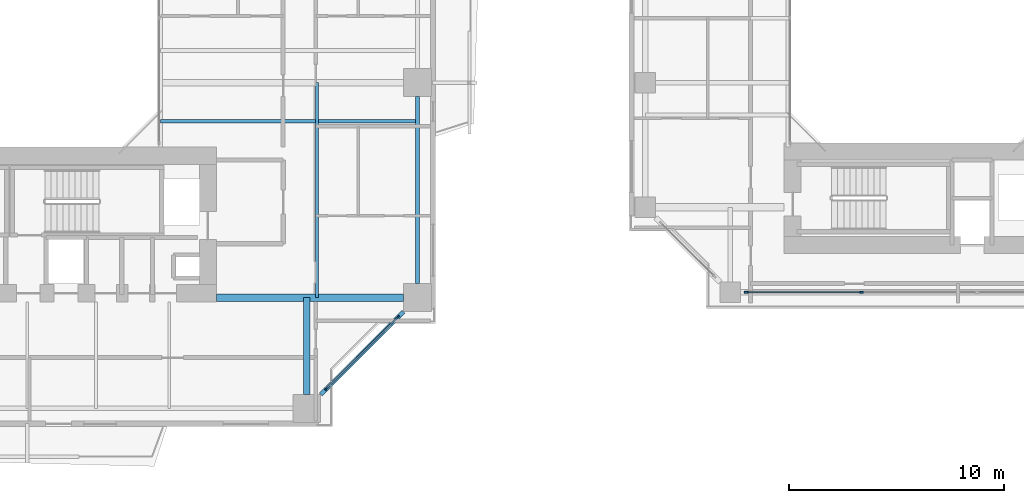
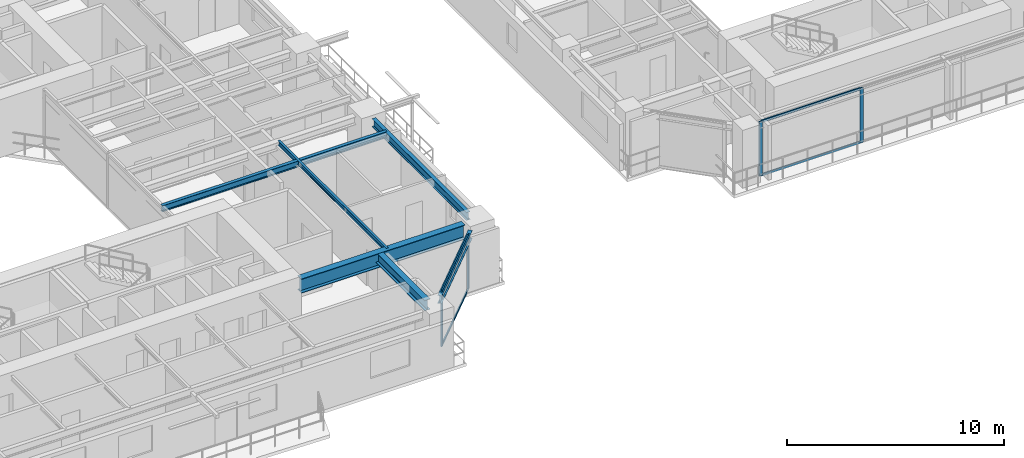
# One storey, part 5 of 24: 8 members, 6 beams, 2 elements without a shape of their own.
"""IFC4 building model written with IfcOpenShell, lengths in metres."""

from ifc_helpers import new_model, si_unit, direction, frame, origin, origin_2d, place, context, subcontext, project, spatial, rectangle, i_section, extrude, source, transform, mapped, material, layer, layer_set, material_profile, profile_set, type_object, element, aggregate, save


model = new_model("IFC4")

# Units and contexts
model_context = context("Model", 3, precision=1e-05, world=origin(), true_north=direction((0.0, 1.0)))
body_context = subcontext(model_context, "Body", "Model", "MODEL_VIEW")
ifc_project = project(units=[si_unit("LENGTHUNIT", "METRE"), si_unit("AREAUNIT", "SQUARE_METRE"), si_unit("VOLUMEUNIT", "CUBIC_METRE"), si_unit("PLANEANGLEUNIT", "RADIAN"), si_unit("MASSUNIT", "GRAM", prefix="KILO"), si_unit("THERMODYNAMICTEMPERATUREUNIT", "KELVIN"), si_unit("POWERUNIT", "WATT")], contexts=[model_context])

# Site, building, storey
site_placement = place(None, origin())
site = spatial("IfcSite", under=ifc_project, at=site_placement, CompositionType="ELEMENT")
building_placement = place(site_placement, origin())
building = spatial("IfcBuilding", under=site, at=building_placement, Name="Qiaomeng Ring Towers", CompositionType="ELEMENT")
storey_placement = place(building_placement, frame((0.0, 0.0, 36.0)))
storey = spatial("IfcBuildingStorey", under=building, at=storey_placement, Name="L09", CompositionType="ELEMENT", Elevation=36.0)

# Beams
ifc_material_1 = material(Name="Steel Q355B", Category="steel")
ifc_material_profile_1 = material_profile(ifc_material_1, i_section(OverallWidth=0.199951171875, OverallDepth=0.449951171875, WebThickness=0.009033203125, FlangeThickness=0.013916015625, FilletRadius=0.01806640625, at=origin_2d()), Name="HN 450x200x9x14")
ifc_profile_set_1 = profile_set([ifc_material_profile_1], Name="Steel Q355B")
beam_type_1 = type_object("IfcBeamType", Name="STR-BM-HN450", PredefinedType="SPANDREL", material=ifc_profile_set_1)
shared_shape_1 = source(origin(), body_context, "Body", "SweptSolid", [
    extrude(i_section(OverallWidth=0.199951171875, OverallDepth=0.449951171875, WebThickness=0.009033203125, FlangeThickness=0.013916015625, FilletRadius=0.01806640625, at=origin_2d()), origin(), (0.0, 0.0, 1.0), 5.446533203125),
])
beam_1_placement = place(storey_placement, frame((32.6494140625, 5.499267578125, 2.844970703125), z_axis=(0.707106781187, 0.707106781187, 0.0), x_axis=(-0.707106781187, 0.707106781187, 0.0)))
element("IfcBeam", 1, at=beam_1_placement, inside=storey, type_object=beam_type_1, Name="L09 beam STR-SP-L09-T1-S2-E1", PredefinedType="SPANDREL", context=body_context, shape_type="MappedRepresentation", body=[
    mapped(shared_shape_1, transform((0.0, 0.0, 0.0), x_axis=(1.0, 0.0, 0.0), y_axis=(0.0, 1.0, 0.0), z_axis=(0.0, 0.0, 1.0), scale=1.0)),
])
shared_shape_2 = source(origin(), body_context, "Body", "SweptSolid", [
    extrude(i_section(OverallWidth=0.199951171875, OverallDepth=0.449951171875, WebThickness=0.009033203125, FlangeThickness=0.013916015625, FilletRadius=0.01806640625, at=origin_2d()), origin(), (0.0, 0.0, 1.0), 8.7021484375),
])
beam_2_placement = place(storey_placement, frame((37.14990234375, 10.64892578125, 2.844970703125), z_axis=(0.0, 1.0, 0.0), x_axis=(-1.0, 0.0, 0.0)))
element("IfcBeam", 2, at=beam_2_placement, inside=storey, type_object=beam_type_1, Name="L09 beam STR-SP-L09-T1-E1-E2", PredefinedType="SPANDREL", context=body_context, shape_type="MappedRepresentation", body=[
    mapped(shared_shape_2, transform((0.0, 0.0, 0.0), x_axis=(1.0, 0.0, 0.0), y_axis=(0.0, 1.0, 0.0), z_axis=(0.0, 0.0, 1.0), scale=1.0)),
])
ifc_material_2 = material(Name="Steel Q390GJC", Category="steel")
ifc_material_profile_2 = material_profile(ifc_material_2, i_section(OverallWidth=0.35009765625, OverallDepth=0.800048828125, WebThickness=0.01611328125, FlangeThickness=0.028076171875, at=origin_2d()), Name="WH 800x350x16x28")
ifc_profile_set_2 = profile_set([ifc_material_profile_2], Name="Steel Q390GJC")
beam_type_2 = type_object("IfcBeamType", Name="STR-BM-WH800", PredefinedType="BEAM", material=ifc_profile_set_2)
shared_shape_3 = source(origin(), body_context, "Body", "SweptSolid", [
    extrude(i_section(OverallWidth=0.35009765625, OverallDepth=0.800048828125, WebThickness=0.01611328125, FlangeThickness=0.028076171875, at=origin_2d()), origin(), (0.0, 0.0, 1.0), 8.700927734375),
])
beam_3_placement = place(storey_placement, frame((27.800048828125, 10.0, 2.669921875), z_axis=(1.0, 0.0, 0.0), x_axis=(0.0, 1.0, 0.0)))
element("IfcBeam", 3, at=beam_3_placement, inside=storey, type_object=beam_type_2, Name="L09 beam STR-BM-L09-T1-RAD-E1", PredefinedType="BEAM", context=body_context, shape_type="MappedRepresentation", body=[
    mapped(shared_shape_3, transform((0.0, 0.0, 0.0), x_axis=(1.0, 0.0, 0.0), y_axis=(0.0, 1.0, 0.0), z_axis=(0.0, 0.0, 1.0), scale=1.0)),
])
ifc_material_profile_3 = material_profile(ifc_material_1, i_section(OverallWidth=0.300048828125, OverallDepth=0.587890625, WebThickness=0.011962890625, FlangeThickness=0.02001953125, FilletRadius=0.028076171875, at=origin_2d()), Name="HM 588x300x12x20")
ifc_profile_set_3 = profile_set([ifc_material_profile_3], Name="Steel Q355B")
beam_type_3 = type_object("IfcBeamType", Name="STR-BM-HM588", PredefinedType="BEAM", material=ifc_profile_set_3)
shared_shape_4 = source(origin(), body_context, "Body", "SweptSolid", [
    extrude(i_section(OverallWidth=0.300048828125, OverallDepth=0.587890625, WebThickness=0.011962890625, FlangeThickness=0.02001953125, FilletRadius=0.028076171875, at=origin_2d()), origin(), (0.0, 0.0, 1.0), 4.5009765625),
])
beam_4_placement = place(storey_placement, frame((32.0, 5.4990234375, 2.77587890625), z_axis=(0.0, 1.0, 0.0), x_axis=(-1.0, 0.0, 0.0)))
element("IfcBeam", 4, at=beam_4_placement, inside=storey, type_object=beam_type_3, Name="L09 beam STR-BM-L09-T1-RAD-S2", PredefinedType="BEAM", context=body_context, shape_type="MappedRepresentation", body=[
    mapped(shared_shape_4, transform((0.0, 0.0, 0.0), x_axis=(1.0, 0.0, 0.0), y_axis=(0.0, 1.0, 0.0), z_axis=(0.0, 0.0, 1.0), scale=1.0)),
])
ifc_material_profile_4 = material_profile(ifc_material_1, i_section(OverallWidth=0.175048828125, OverallDepth=0.35009765625, WebThickness=0.007080078125, FlangeThickness=0.010986328125, FilletRadius=0.013916015625, at=origin_2d()), Name="HN 350x175x7x11")
ifc_profile_set_4 = profile_set([ifc_material_profile_4], Name="Steel Q355B")
beam_type_4 = type_object("IfcBeamType", Name="STR-BM-HN350", PredefinedType="JOIST", material=ifc_profile_set_4)
shared_shape_5 = source(origin(), body_context, "Body", "SweptSolid", [
    extrude(i_section(OverallWidth=0.175048828125, OverallDepth=0.35009765625, WebThickness=0.007080078125, FlangeThickness=0.010986328125, FilletRadius=0.013916015625, at=origin_2d()), origin(), (0.0, 0.0, 1.0), 11.949951171875),
])
beam_5_placement = place(storey_placement, frame((25.199951171875, 18.199951171875, 2.89501953125), z_axis=(1.0, 0.0, 0.0), x_axis=(0.0, 1.0, 0.0)))
element("IfcBeam", 5, at=beam_5_placement, inside=storey, type_object=beam_type_4, Name="L09 beam STR-JST-L09-T1E-1", PredefinedType="JOIST", context=body_context, shape_type="MappedRepresentation", body=[
    mapped(shared_shape_5, transform((0.0, 0.0, 0.0), x_axis=(1.0, 0.0, 0.0), y_axis=(0.0, 1.0, 0.0), z_axis=(0.0, 0.0, 1.0), scale=1.0)),
])
ifc_material_profile_5 = material_profile(ifc_material_1, i_section(OverallWidth=0.125, OverallDepth=0.25, WebThickness=0.006103515625, FlangeThickness=0.009033203125, FilletRadius=0.011962890625, at=origin_2d()), Name="HN 250x125x6x9")
ifc_profile_set_5 = profile_set([ifc_material_profile_5], Name="Steel Q355B")
beam_type_5 = type_object("IfcBeamType", Name="STR-BM-HN250", PredefinedType="JOIST", material=ifc_profile_set_5)
shared_shape_6 = source(origin(), body_context, "Body", "SweptSolid", [
    extrude(i_section(OverallWidth=0.125, OverallDepth=0.25, WebThickness=0.006103515625, FlangeThickness=0.009033203125, FilletRadius=0.011962890625, at=origin_2d()), origin(), (0.0, 0.0, 1.0), 10.0),
])
beam_6_placement = place(storey_placement, frame((32.47509765625, 10.0, 2.945068359375), z_axis=(0.0, 1.0, 0.0), x_axis=(-1.0, 0.0, 0.0)))
element("IfcBeam", 6, at=beam_6_placement, inside=storey, type_object=beam_type_5, Name="L09 beam STR-JST-L09-T1C-ES", PredefinedType="JOIST", context=body_context, shape_type="MappedRepresentation", body=[
    mapped(shared_shape_6, transform((0.0, 0.0, 0.0), x_axis=(1.0, 0.0, 0.0), y_axis=(0.0, 1.0, 0.0), z_axis=(0.0, 0.0, 1.0), scale=1.0)),
])

# Curtain wall, members
ifc_material_3 = material(Name="Fluorocarbon dark-grey aluminium", Category="aluminium")
ifc_layer_1 = layer(ifc_material_3, 0.159912109375, Name="Fluorocarbon dark-grey aluminium")
ifc_layer_set_1 = layer_set([ifc_layer_1], Name="Fluorocarbon dark-grey aluminium")
curtain_wall_type_1 = type_object("IfcCurtainWallType", Name="ARC-CW-2", PredefinedType="NOTDEFINED", material=ifc_layer_set_1)
curtain_wall_1_placement = place(storey_placement, origin())
curtain_wall_1 = element("IfcCurtainWall", 7, at=curtain_wall_1_placement, inside=storey, type_object=curtain_wall_type_1, Name="L09 Curtain Wall CW2", PredefinedType="NOTDEFINED")
ifc_material_profile_6 = material_profile(ifc_material_3, rectangle(XDim=0.070068359375, YDim=0.179931640625, at=origin_2d()), Name="ALU MULL 70x180")
ifc_profile_set_6 = profile_set([ifc_material_profile_6], Name="Fluorocarbon dark-grey aluminium")
member_type_1 = type_object("IfcMemberType", Name="ARC-CWM-160", PredefinedType="MULLION", material=ifc_profile_set_6)
shared_shape_7 = source(origin(), body_context, "Body", "SweptSolid", [
    extrude(rectangle(XDim=0.070068359375, YDim=0.179931640625, at=origin_2d()), origin(), (0.0, 0.0, 1.0), 3.070068359375),
])
member_1_placement = place(storey_placement, frame((32.914794921875, 5.7646484375, 0.0), z_axis=(0.0, 0.0, 1.0), x_axis=(-0.707106781187, 0.707106781187, 0.0)))
member_1 = element("IfcMember", 8, at=member_1_placement, type_object=member_type_1, Name="CW2 mullion 1", PredefinedType="MULLION", context=body_context, shape_type="MappedRepresentation", body=[
    mapped(shared_shape_7, transform((0.0, 0.0, 0.0), x_axis=(1.0, 0.0, 0.0), y_axis=(0.0, 1.0, 0.0), z_axis=(0.0, 0.0, 1.0), scale=1.0)),
])
member_2_placement = place(storey_placement, frame((36.2353515625, 9.085205078125, 0.0), z_axis=(0.0, 0.0, 1.0), x_axis=(-0.707106781187, 0.707106781187, 0.0)))
member_2 = element("IfcMember", 9, at=member_2_placement, type_object=member_type_1, Name="CW2 mullion 2", PredefinedType="MULLION", context=body_context, shape_type="MappedRepresentation", body=[
    mapped(shared_shape_7, transform((0.0, 0.0, 0.0), x_axis=(1.0, 0.0, 0.0), y_axis=(0.0, 1.0, 0.0), z_axis=(0.0, 0.0, 1.0), scale=1.0)),
])

ifc_layer_2 = layer(ifc_material_3, 0.14990234375, Name="Fluorocarbon dark-grey aluminium")
ifc_layer_set_2 = layer_set([ifc_layer_2], Name="Fluorocarbon dark-grey aluminium")
curtain_wall_type_2 = type_object("IfcCurtainWallType", Name="ARC-CW-5", PredefinedType="NOTDEFINED", material=ifc_layer_set_2)
curtain_wall_2_placement = place(storey_placement, origin())
curtain_wall_2 = element("IfcCurtainWall", 10, at=curtain_wall_2_placement, inside=storey, type_object=curtain_wall_type_2, Name="L09 Curtain Wall CW5", PredefinedType="NOTDEFINED")
member_3_placement = place(storey_placement, frame((52.449951171875, 10.25, 0.0), z_axis=(0.0, 0.0, 1.0), x_axis=(0.0, 1.0, 0.0)))
member_3 = element("IfcMember", 11, at=member_3_placement, type_object=member_type_1, Name="CW5 mullion 1", PredefinedType="MULLION", context=body_context, shape_type="MappedRepresentation", body=[
    mapped(shared_shape_7, transform((0.0, 0.0, 0.0), x_axis=(1.0, 0.0, 0.0), y_axis=(0.0, 1.0, 0.0), z_axis=(0.0, 0.0, 1.0), scale=1.0)),
])
member_4_placement = place(storey_placement, frame((57.804931640625, 10.25, 0.0), z_axis=(0.0, 0.0, 1.0), x_axis=(0.0, 1.0, 0.0)))
member_4 = element("IfcMember", 12, at=member_4_placement, type_object=member_type_1, Name="CW5 mullion 2", PredefinedType="MULLION", context=body_context, shape_type="MappedRepresentation", body=[
    mapped(shared_shape_7, transform((0.0, 0.0, 0.0), x_axis=(1.0, 0.0, 0.0), y_axis=(0.0, 1.0, 0.0), z_axis=(0.0, 0.0, 1.0), scale=1.0)),
])

# Member
ifc_material_profile_7 = material_profile(ifc_material_3, rectangle(XDim=0.06494140625, YDim=0.1298828125, at=origin_2d()), Name="ALU TRAN 65x130")
ifc_profile_set_7 = profile_set([ifc_material_profile_7], Name="Fluorocarbon dark-grey aluminium")
member_type_2 = type_object("IfcMemberType", Name="ARC-CWT-120", PredefinedType="USERDEFINED", material=ifc_profile_set_7)
shared_shape_8 = source(origin(), body_context, "Body", "SweptSolid", [
    extrude(rectangle(XDim=0.06494140625, YDim=0.1298828125, at=origin_2d()), origin(), (0.0, 0.0, 1.0), 4.6259765625),
])
member_5_placement = place(storey_placement, frame((32.939453125, 5.78955078125, 0.032470703125), z_axis=(0.707106781187, 0.707106781187, 0.0), x_axis=(-0.707106781187, 0.707106781187, 0.0)))
member_5 = element("IfcMember", 13, at=member_5_placement, type_object=member_type_2, Name="CW2 transom 1.1", ObjectType="TRANSOM", PredefinedType="USERDEFINED", context=body_context, shape_type="MappedRepresentation", body=[
    mapped(shared_shape_8, transform((0.0, 0.0, 0.0), x_axis=(1.0, 0.0, 0.0), y_axis=(0.0, 1.0, 0.0), z_axis=(0.0, 0.0, 1.0), scale=1.0)),
])

member_6_placement = place(storey_placement, frame((32.939453125, 5.78955078125, 3.03759765625), z_axis=(0.707106781187, 0.707106781187, 0.0), x_axis=(-0.707106781187, 0.707106781187, 0.0)))
member_6 = element("IfcMember", 14, at=member_6_placement, type_object=member_type_2, Name="CW2 transom 1.2", ObjectType="TRANSOM", PredefinedType="USERDEFINED", context=body_context, shape_type="MappedRepresentation", body=[
    mapped(shared_shape_8, transform((0.0, 0.0, 0.0), x_axis=(1.0, 0.0, 0.0), y_axis=(0.0, 1.0, 0.0), z_axis=(0.0, 0.0, 1.0), scale=1.0)),
])

aggregate(curtain_wall_1, [member_1, member_2, member_5, member_6])

shared_shape_9 = source(origin(), body_context, "Body", "SweptSolid", [
    extrude(rectangle(XDim=0.06494140625, YDim=0.1298828125, at=origin_2d()), origin(), (0.0, 0.0, 1.0), 5.284912109375),
])
member_7_placement = place(storey_placement, frame((52.485107421875, 10.25, 0.032470703125), z_axis=(1.0, 0.0, 0.0), x_axis=(0.0, 1.0, 0.0)))
member_7 = element("IfcMember", 15, at=member_7_placement, type_object=member_type_2, Name="CW5 transom 1.1", ObjectType="TRANSOM", PredefinedType="USERDEFINED", context=body_context, shape_type="MappedRepresentation", body=[
    mapped(shared_shape_9, transform((0.0, 0.0, 0.0), x_axis=(1.0, 0.0, 0.0), y_axis=(0.0, 1.0, 0.0), z_axis=(0.0, 0.0, 1.0), scale=1.0)),
])

member_8_placement = place(storey_placement, frame((52.485107421875, 10.25, 3.03759765625), z_axis=(1.0, 0.0, 0.0), x_axis=(0.0, 1.0, 0.0)))
member_8 = element("IfcMember", 16, at=member_8_placement, type_object=member_type_2, Name="CW5 transom 1.2", ObjectType="TRANSOM", PredefinedType="USERDEFINED", context=body_context, shape_type="MappedRepresentation", body=[
    mapped(shared_shape_9, transform((0.0, 0.0, 0.0), x_axis=(1.0, 0.0, 0.0), y_axis=(0.0, 1.0, 0.0), z_axis=(0.0, 0.0, 1.0), scale=1.0)),
])

aggregate(curtain_wall_2, [member_3, member_4, member_7, member_8])

save(model, "model.ifc")
